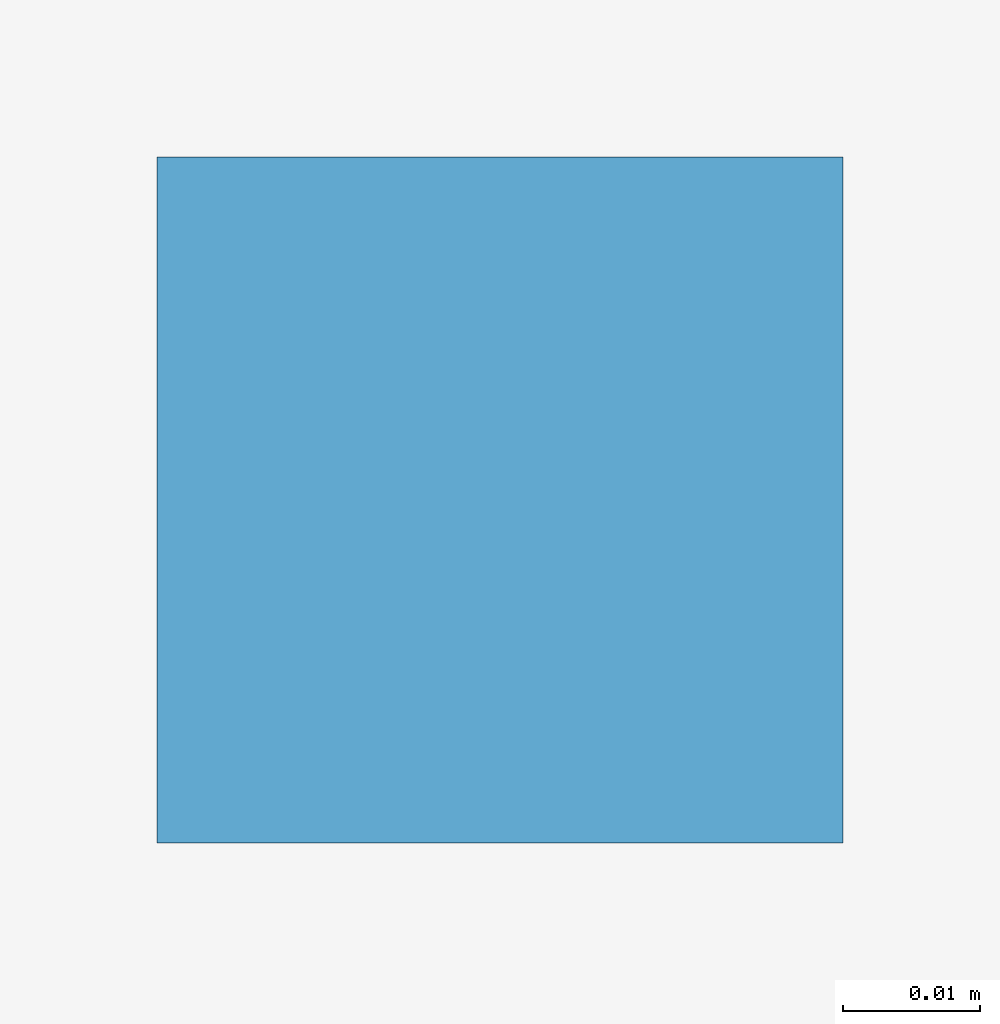
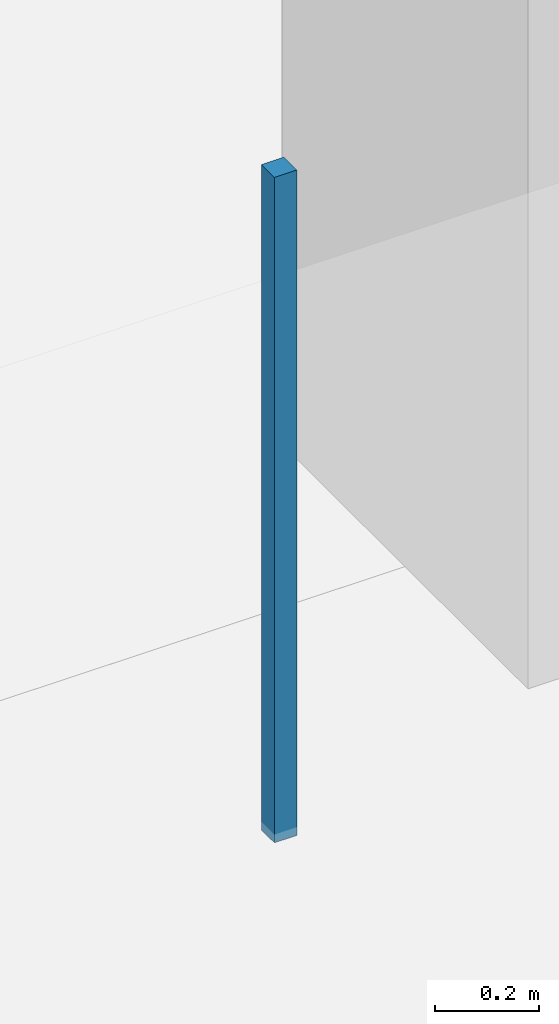
# One storey, part 40 of 54: 1 discrete accessory.
"""IFC4 building model written with IfcOpenShell, lengths in metres."""

from ifc_helpers import new_model, si_unit, direction, frame, origin, origin_2d, place, context, subcontext, project, spatial, rectangle, extrude, material, type_object, element, save


model = new_model("IFC4")

# Units and contexts
model_context = context("Model", 3, precision=1e-05, world=origin(), true_north=direction((0.0, 1.0)))
body_context = subcontext(model_context, "Body", "Model", "MODEL_VIEW")
ifc_project = project(units=[si_unit("LENGTHUNIT", "METRE"), si_unit("AREAUNIT", "SQUARE_METRE"), si_unit("VOLUMEUNIT", "CUBIC_METRE"), si_unit("PLANEANGLEUNIT", "RADIAN"), si_unit("MASSUNIT", "GRAM", prefix="KILO")], contexts=[model_context])

# Site, building, storey
site_placement = place(None, origin())
site = spatial("IfcSite", under=ifc_project, at=site_placement, CompositionType="ELEMENT")
building_placement = place(site_placement, origin())
building = spatial("IfcBuilding", under=site, at=building_placement, Name="Kazehaya Institute of Natural Sciences", CompositionType="ELEMENT")
storey_placement = place(building_placement, frame((0.0, 0.0, 10.43994140625)))
storey = spatial("IfcBuildingStorey", under=building, at=storey_placement, Name="L02", CompositionType="ELEMENT", Elevation=10.43994140625)

# Discrete accessory
ifc_material = material(Name="Structural steel SN490B", Category="steel")
discrete_accessory_type = type_object("IfcDiscreteAccessoryType", Name="ACC-CLG-HGR", PredefinedType="BRACKET", material=ifc_material)
discrete_accessory_placement = place(storey_placement, frame((87.302001953125, 31.19580078125, 3.032470703125), z_axis=(0.0, 0.0, 1.0), x_axis=(1.0, 0.0, 0.0)))
element("IfcDiscreteAccessory", 1, at=discrete_accessory_placement, inside=storey, type_object=discrete_accessory_type, Name="L02 ceiling suspension hanger 25", PredefinedType="BRACKET", context=body_context, shape_type="SweptSolid", body=[
    extrude(rectangle(XDim=0.050048828125, YDim=0.050048828125, at=origin_2d()), origin(), (0.0, 0.0, 1.0), 1.5673828125),
])

save(model, "model.ifc")
